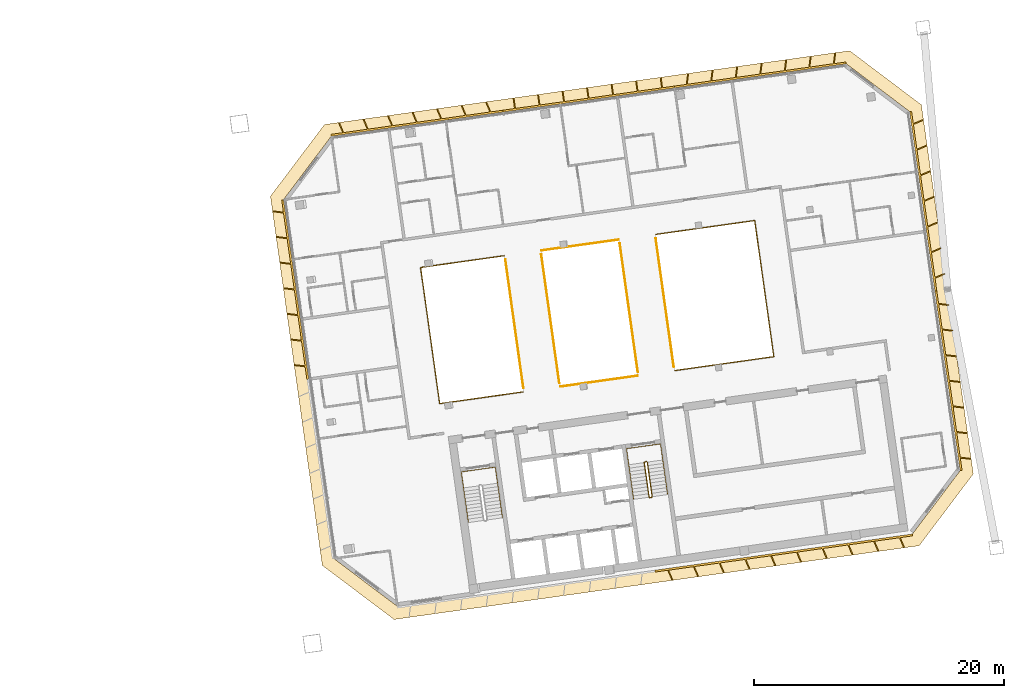
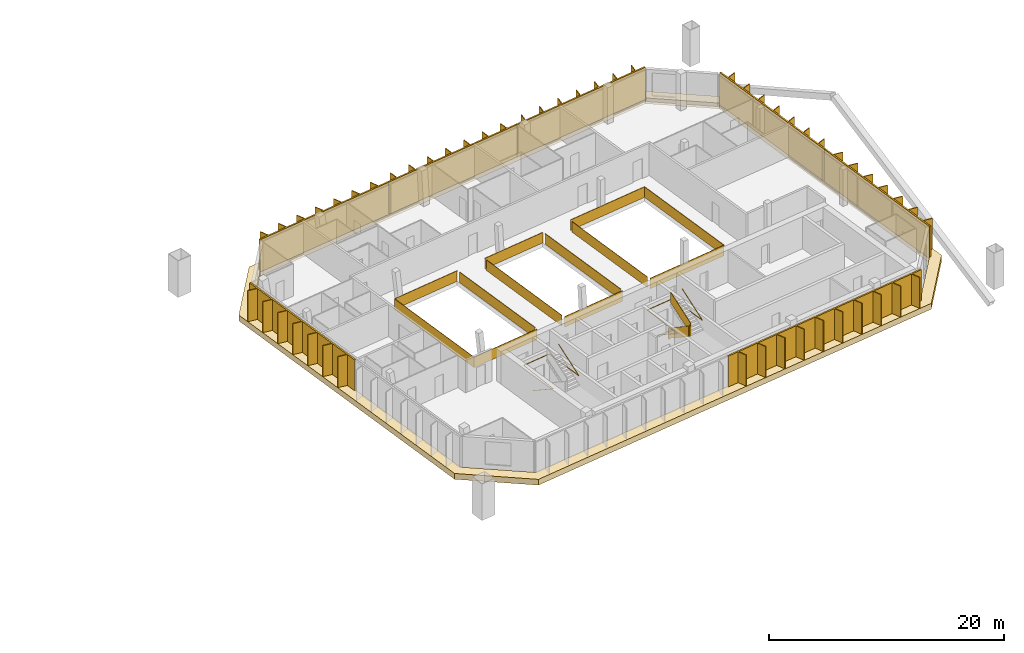
# One storey, part 23 of 23: 11 railings, 7 shading devices, 1 covering.
"""IFC4 building model written with IfcOpenShell, lengths in metres."""

from ifc_helpers import new_model, si_unit, direction, frame, origin, origin_2d, place, context, subcontext, project, spatial, polyline, rectangle, outline, extrude, material, layer, layer_set, type_object, element, save


model = new_model("IFC4")

# Units and contexts
model_context = context("Model", 3, precision=1e-05, world=origin(), true_north=direction((0.0, 1.0)))
body_context = subcontext(model_context, "Body", "Model", "MODEL_VIEW")
ifc_project = project(units=[si_unit("LENGTHUNIT", "METRE"), si_unit("AREAUNIT", "SQUARE_METRE"), si_unit("VOLUMEUNIT", "CUBIC_METRE"), si_unit("PLANEANGLEUNIT", "RADIAN"), si_unit("MASSUNIT", "GRAM", prefix="KILO")], contexts=[model_context])

# Site, building, storey
site_placement = place(None, origin())
site = spatial("IfcSite", under=ifc_project, at=site_placement, CompositionType="ELEMENT")
building_placement = place(site_placement, origin())
building = spatial("IfcBuilding", under=site, at=building_placement, Name="Mirante Cascada Hotel Towers", CompositionType="ELEMENT")
storey_placement = place(building_placement, frame((0.0, 0.0, 220.4)))
storey = spatial("IfcBuildingStorey", under=building, at=storey_placement, Name="L52", CompositionType="ELEMENT", Elevation=220.4)

# Railings
ifc_material_1 = material(Name="Toughened glass with stainless steel handrail", Category="steel")
railing_type_1 = type_object("IfcRailingType", Name="Atrium guard 1100 glass balustrade", PredefinedType="GUARDRAIL", material=ifc_material_1)
railing_1_placement = place(storey_placement, frame((40.095, 7.0934, 0.0)))
element("IfcRailing", 1, at=railing_1_placement, inside=storey, type_object=railing_type_1, Name="GUARD 2-L52-1", PredefinedType="GUARDRAIL", context=body_context, shape_type="SweptSolid", body=[
    extrude(rectangle(XDim=0.048, YDim=0.048, at=origin_2d()), frame((0.0, 0.0, 1.076), z_axis=(-0.9902687, -0.1391685, 0.0), x_axis=(0.1391685, -0.9902687, 0.0)), (0.0, 0.0, 1.0), 6.7623),
    extrude(rectangle(XDim=0.02, YDim=1.052, at=origin_2d()), frame((0.0, 0.0, 0.526), z_axis=(-0.9902687, -0.1391685, 0.0), x_axis=(0.1391685, -0.9902687, 0.0)), (0.0, 0.0, 1.0), 6.7623),
    extrude(rectangle(XDim=0.048, YDim=0.048, at=origin_2d()), frame((-6.6965, -0.9411, 1.076), z_axis=(0.1391733, -0.990268, 0.0), x_axis=(0.990268, 0.1391733, 0.0)), (0.0, 0.0, 1.0), 11.0),
    extrude(rectangle(XDim=0.02, YDim=1.052, at=origin_2d()), frame((-6.6965, -0.9411, 0.526), z_axis=(0.1391733, -0.990268, 0.0), x_axis=(0.990268, 0.1391733, 0.0)), (0.0, 0.0, 1.0), 11.0),
    extrude(rectangle(XDim=0.048, YDim=0.048, at=origin_2d()), frame((-5.1656, -11.834, 1.076), z_axis=(0.9902687, 0.1391685, 0.0), x_axis=(-0.1391685, 0.9902687, 0.0)), (0.0, 0.0, 1.0), 6.7623),
    extrude(rectangle(XDim=0.02, YDim=1.052, at=origin_2d()), frame((-5.1656, -11.834, 0.526), z_axis=(0.9902687, 0.1391685, 0.0), x_axis=(-0.1391685, 0.9902687, 0.0)), (0.0, 0.0, 1.0), 6.7623),
])
railing_2_placement = place(storey_placement, frame((44.5967, -3.382, 0.0)))
element("IfcRailing", 2, at=railing_2_placement, inside=storey, type_object=railing_type_1, Name="GUARD 2-L52-2", PredefinedType="GUARDRAIL", context=body_context, shape_type="SweptSolid", body=[
    extrude(rectangle(XDim=0.048, YDim=0.048, at=origin_2d()), frame((0.0, 0.0, 1.076), z_axis=(0.9902672, 0.1391795, 0.0), x_axis=(-0.1391795, 0.9902672, 0.0)), (0.0, 0.0, 1.0), 6.2459),
    extrude(rectangle(XDim=0.02, YDim=1.052, at=origin_2d()), frame((0.0, 0.0, 0.526), z_axis=(0.9902672, 0.1391795, 0.0), x_axis=(-0.1391795, 0.9902672, 0.0)), (0.0, 0.0, 1.0), 6.2459),
])
railing_3_placement = place(storey_placement, frame((49.2509, 8.3802, 0.0)))
element("IfcRailing", 3, at=railing_3_placement, inside=storey, type_object=railing_type_1, Name="GUARD 2-L52-3", PredefinedType="GUARDRAIL", context=body_context, shape_type="SweptSolid", body=[
    extrude(rectangle(XDim=0.048, YDim=0.048, at=origin_2d()), frame((0.0, 0.0, 1.076), z_axis=(-0.9902694, -0.1391638, 0.0), x_axis=(0.1391638, -0.9902694, 0.0)), (0.0, 0.0, 1.0), 6.2459),
    extrude(rectangle(XDim=0.02, YDim=1.052, at=origin_2d()), frame((0.0, 0.0, 0.526), z_axis=(-0.9902694, -0.1391638, 0.0), x_axis=(0.1391638, -0.9902694, 0.0)), (0.0, 0.0, 1.0), 6.2459),
])
railing_4_placement = place(storey_placement, frame((53.7526, -2.0952, 0.0)))
element("IfcRailing", 4, at=railing_4_placement, inside=storey, type_object=railing_type_1, Name="GUARD 2-L52-4", PredefinedType="GUARDRAIL", context=body_context, shape_type="SweptSolid", body=[
    extrude(rectangle(XDim=0.048, YDim=0.048, at=origin_2d()), frame((0.0, 0.0, 1.076), z_axis=(0.9902688, 0.1391682, 0.0), x_axis=(-0.1391682, 0.9902688, 0.0)), (0.0, 0.0, 1.0), 7.9918),
    extrude(rectangle(XDim=0.02, YDim=1.052, at=origin_2d()), frame((0.0, 0.0, 0.526), z_axis=(0.9902688, 0.1391682, 0.0), x_axis=(-0.1391682, 0.9902688, 0.0)), (0.0, 0.0, 1.0), 7.9918),
    extrude(rectangle(XDim=0.048, YDim=0.048, at=origin_2d()), frame((7.914, 1.1122, 1.076), z_axis=(-0.1391721, 0.9902682, 0.0), x_axis=(-0.9902682, -0.1391721, 0.0)), (0.0, 0.0, 1.0), 11.0001),
    extrude(rectangle(XDim=0.02, YDim=1.052, at=origin_2d()), frame((7.914, 1.1122, 0.526), z_axis=(-0.1391721, 0.9902682, 0.0), x_axis=(-0.9902682, -0.1391721, 0.0)), (0.0, 0.0, 1.0), 11.0001),
    extrude(rectangle(XDim=0.048, YDim=0.048, at=origin_2d()), frame((6.3831, 12.0052, 1.076), z_axis=(-0.990267, -0.1391804, 0.0), x_axis=(0.1391804, -0.990267, 0.0)), (0.0, 0.0, 1.0), 7.9918),
    extrude(rectangle(XDim=0.02, YDim=1.052, at=origin_2d()), frame((6.3831, 12.0052, 0.526), z_axis=(-0.990267, -0.1391804, 0.0), x_axis=(0.1391804, -0.990267, 0.0)), (0.0, 0.0, 1.0), 7.9918),
])
railing_5_placement = place(storey_placement, frame((41.6333, -3.4999, 0.0)))
element("IfcRailing", 5, at=railing_5_placement, inside=storey, type_object=railing_type_1, Name="GUARD 2-L52-5", PredefinedType="GUARDRAIL", context=body_context, shape_type="SweptSolid", body=[
    extrude(rectangle(XDim=0.048, YDim=0.048, at=origin_2d()), frame((0.0, 0.0, 1.076), z_axis=(-0.1391721, 0.9902682, 0.0), x_axis=(-0.9902682, -0.1391721, 0.0)), (0.0, 0.0, 1.0), 10.4087),
    extrude(rectangle(XDim=0.02, YDim=1.052, at=origin_2d()), frame((0.0, 0.0, 0.526), z_axis=(-0.1391721, 0.9902682, 0.0), x_axis=(-0.9902682, -0.1391721, 0.0)), (0.0, 0.0, 1.0), 10.4087),
])
railing_6_placement = place(storey_placement, frame((43.0584, 7.2114, 0.0)))
element("IfcRailing", 6, at=railing_6_placement, inside=storey, type_object=railing_type_1, Name="GUARD 2-L52-6", PredefinedType="GUARDRAIL", context=body_context, shape_type="SweptSolid", body=[
    extrude(rectangle(XDim=0.048, YDim=0.048, at=origin_2d()), frame((0.0, 0.0, 1.076), z_axis=(0.1391721, -0.9902682, 0.0), x_axis=(0.9902682, 0.1391721, 0.0)), (0.0, 0.0, 1.0), 10.4087),
    extrude(rectangle(XDim=0.02, YDim=1.052, at=origin_2d()), frame((0.0, 0.0, 0.526), z_axis=(0.1391721, -0.9902682, 0.0), x_axis=(0.9902682, 0.1391721, 0.0)), (0.0, 0.0, 1.0), 10.4087),
])
railing_7_placement = place(storey_placement, frame((50.7892, -2.2131, 0.0)))
element("IfcRailing", 7, at=railing_7_placement, inside=storey, type_object=railing_type_1, Name="GUARD 2-L52-7", PredefinedType="GUARDRAIL", context=body_context, shape_type="SweptSolid", body=[
    extrude(rectangle(XDim=0.048, YDim=0.048, at=origin_2d()), frame((0.0, 0.0, 1.076), z_axis=(-0.1391721, 0.9902682, 0.0), x_axis=(-0.9902682, -0.1391721, 0.0)), (0.0, 0.0, 1.0), 10.4087),
    extrude(rectangle(XDim=0.02, YDim=1.052, at=origin_2d()), frame((0.0, 0.0, 0.526), z_axis=(-0.1391721, 0.9902682, 0.0), x_axis=(-0.9902682, -0.1391721, 0.0)), (0.0, 0.0, 1.0), 10.4087),
])
railing_8_placement = place(storey_placement, frame((52.2143, 8.4982, 0.0)))
element("IfcRailing", 8, at=railing_8_placement, inside=storey, type_object=railing_type_1, Name="GUARD 2-L52-8", PredefinedType="GUARDRAIL", context=body_context, shape_type="SweptSolid", body=[
    extrude(rectangle(XDim=0.048, YDim=0.048, at=origin_2d()), frame((0.0, 0.0, 1.076), z_axis=(0.1391708, -0.9902684, 0.0), x_axis=(0.9902684, 0.1391708, 0.0)), (0.0, 0.0, 1.0), 10.4088),
    extrude(rectangle(XDim=0.02, YDim=1.052, at=origin_2d()), frame((0.0, 0.0, 0.526), z_axis=(0.1391708, -0.9902684, 0.0), x_axis=(0.9902684, 0.1391708, 0.0)), (0.0, 0.0, 1.0), 10.4088),
])

# Covering
ifc_material_2 = material(Name="Precast concrete C40/50 white", Category="concrete")
ifc_layer = layer(ifc_material_2, 0.6)
ifc_layer_set = layer_set([ifc_layer], Name="Precast concrete SUNSHADE band 1000x600")
covering_type = type_object("IfcCoveringType", Name="Precast concrete SUNSHADE band 1000x600", PredefinedType="CLADDING", material=ifc_layer_set)
covering_placement = place(storey_placement, frame((0.0, 0.0, -0.45)))
element("IfcCovering", 9, at=covering_placement, inside=storey, type_object=covering_type, Name="Precast concrete SUNSHADE band T2 L52", PredefinedType="CLADDING", context=body_context, shape_type="SweptSolid", body=[
    extrude(outline(polyline([(21.3821, 11.8496), (25.7106, 17.5937), (67.7326, 23.4995), (73.4767, 19.171), (77.628, -10.3671), (73.2995, -16.1112), (31.2775, -22.017), (25.5334, -17.6885), (21.3821, 11.8496)]), holes=[polyline([(76.5801, -10.0961), (72.5441, 18.6217), (67.4616, 22.4516), (26.26, 16.6611), (22.43, 11.5786), (26.466, -17.1392), (31.5485, -20.9691), (72.7501, -15.1786), (76.5801, -10.0961)])]), origin(), (0.0, 0.0, 1.0), 0.6),
])

# Railings
ifc_material_3 = material(Name="Painted steel", Category="steel")
railing_type_2 = type_object("IfcRailingType", Name="Stair guard 1100 steel balustrade", PredefinedType="GUARDRAIL", material=ifc_material_3)
railing_9_placement = place(storey_placement, frame((51.4864, -9.3815, 0.0)))
element("IfcRailing", 10, at=railing_9_placement, inside=storey, type_object=railing_type_2, Name="L52 ST2-B stair guard 1", PredefinedType="GUARDRAIL", context=body_context, shape_type="SweptSolid", body=[
    extrude(rectangle(XDim=0.048, YDim=0.048, at=origin_2d()), frame((0.0, 0.0, 1.076), z_axis=(-0.9902408, -0.1393672, 0.0), x_axis=(0.1393672, -0.9902408, 0.0)), (0.0, 0.0, 1.0), 0.15),
    extrude(rectangle(XDim=0.02, YDim=1.052, at=origin_2d()), frame((0.0, 0.0, 0.526), z_axis=(-0.9902408, -0.1393672, 0.0), x_axis=(0.1393672, -0.9902408, 0.0)), (0.0, 0.0, 1.0), 0.15),
    extrude(rectangle(XDim=0.048, YDim=0.048, at=origin_2d()), frame((-0.1485, -0.0209, 1.076), z_axis=(-0.6020331, -0.7984711, 0.0), x_axis=(0.7984711, -0.6020331, 0.0)), (0.0, 0.9253398, 0.3791387), 0.1866),
    extrude(rectangle(XDim=0.02, YDim=1.052, at=origin_2d()), frame((-0.1485, -0.0209, 0.526), z_axis=(-0.6020331, -0.7984711, 0.0), x_axis=(0.7984711, -0.6020331, 0.0)), (0.0, 0.9253398, 0.3791387), 0.1866),
    extrude(rectangle(XDim=0.048, YDim=0.048, at=origin_2d()), frame((-0.1911, -0.0774, 1.2487), z_axis=(0.139181, -0.990267, 0.0), x_axis=(0.990267, 0.139181, 0.0)), (0.0, 0.5250347, 0.8510808), 3.2899),
    extrude(rectangle(XDim=0.02, YDim=1.052, at=origin_2d()), frame((-0.1911, -0.0774, 0.6987), z_axis=(0.139181, -0.990267, 0.0), x_axis=(0.990267, 0.139181, 0.0)), (0.0, 0.5250347, 0.8510808), 3.2899),
    extrude(rectangle(XDim=0.048, YDim=0.048, at=origin_2d()), frame((0.1986, -2.8501, 2.976), z_axis=(0.9944441, -0.1052656, 0.0), x_axis=(0.1052656, 0.9944441, 0.0)), (0.0, 0.0, 1.0), 0.2061),
    extrude(rectangle(XDim=0.02, YDim=1.052, at=origin_2d()), frame((0.1986, -2.8501, 2.426), z_axis=(0.9944441, -0.1052656, 0.0), x_axis=(0.1052656, 0.9944441, 0.0)), (0.0, 0.0, 1.0), 0.2061),
    extrude(rectangle(XDim=0.048, YDim=0.048, at=origin_2d()), frame((0.4036, -2.8718, 2.976), z_axis=(-0.9902408, -0.1393672, 0.0), x_axis=(0.1393672, -0.9902408, 0.0)), (0.0, 0.0, 1.0), 0.15),
    extrude(rectangle(XDim=0.02, YDim=1.052, at=origin_2d()), frame((0.4036, -2.8718, 2.426), z_axis=(-0.9902408, -0.1393672, 0.0), x_axis=(0.1393672, -0.9902408, 0.0)), (0.0, 0.0, 1.0), 0.15),
    extrude(rectangle(XDim=0.048, YDim=0.048, at=origin_2d()), frame((0.2551, -2.8927, 2.976), z_axis=(0.9268624, 0.3754011, 0.0), x_axis=(-0.3754011, 0.9268624, 0.0)), (0.0, 0.6421217, 0.7666028), 0.269),
    extrude(rectangle(XDim=0.02, YDim=1.052, at=origin_2d()), frame((0.2551, -2.8927, 2.426), z_axis=(0.9268624, 0.3754011, 0.0), x_axis=(-0.3754011, 0.9268624, 0.0)), (0.0, 0.6421217, 0.7666028), 0.269),
    extrude(rectangle(XDim=0.048, YDim=0.048, at=origin_2d()), frame((0.4462, -2.8153, 3.1487), z_axis=(-0.139181, 0.990267, 0.0), x_axis=(-0.990267, -0.139181, 0.0)), (0.0, 0.5250347, 0.8510808), 3.2899),
    extrude(rectangle(XDim=0.02, YDim=1.052, at=origin_2d()), frame((0.4462, -2.8153, 2.5987), z_axis=(-0.139181, 0.990267, 0.0), x_axis=(-0.990267, -0.139181, 0.0)), (0.0, 0.5250347, 0.8510808), 3.2899),
])
ifc_material_4 = material(Name="Painted steel", Category="steel")
railing_type_3 = type_object("IfcRailingType", Name="Stair handrail 900 steel tube", PredefinedType="HANDRAIL", material=ifc_material_4)
railing_10_placement = place(storey_placement, frame((36.8374, -11.4908, 0.1727)))
element("IfcRailing", 11, at=railing_10_placement, inside=storey, type_object=railing_type_3, Name="L52 ST2-A stair handrail 1", PredefinedType="HANDRAIL", context=body_context, shape_type="SweptSolid", body=[
    extrude(rectangle(XDim=0.048, YDim=0.048, at=origin_2d()), frame((0.0, 0.0, 0.876), z_axis=(0.139181, -0.990267, 0.0), x_axis=(0.990267, 0.139181, 0.0)), (0.0, 0.5250347, 0.8510808), 3.2899),
    extrude(rectangle(XDim=0.048, YDim=0.048, at=origin_2d()), frame((0.3897, -2.7727, 2.6033), z_axis=(-0.1391707, 0.9902684, 0.0), x_axis=(-0.9902684, -0.1391707, 0.0)), (0.0, 0.0420846, 0.999114), 4.1036),
    extrude(rectangle(XDim=0.048, YDim=0.048, at=origin_2d()), frame((-0.1809, 1.2874, 2.776), z_axis=(0.9902691, 0.1391657, 0.0), x_axis=(-0.1391657, 0.9902691, 0.0)), (0.0, 0.0, 1.0), 2.75),
    extrude(rectangle(XDim=0.048, YDim=0.048, at=origin_2d()), frame((2.5423, 1.6701, 2.776), z_axis=(0.1391707, -0.9902684, 0.0), x_axis=(0.9902684, 0.1391707, 0.0)), (0.0, 0.0, 1.0), 4.1),
    extrude(rectangle(XDim=0.048, YDim=0.048, at=origin_2d()), frame((3.1129, -2.39, 2.776), z_axis=(-0.139181, 0.990267, 0.0), x_axis=(-0.990267, -0.139181, 0.0)), (0.0, 0.5250347, 0.8510808), 3.2899),
])
railing_11_placement = place(storey_placement, frame((50.0575, -9.6328, 0.1727)))
element("IfcRailing", 12, at=railing_11_placement, inside=storey, type_object=railing_type_3, Name="L52 ST2-B stair handrail 1", PredefinedType="HANDRAIL", context=body_context, shape_type="SweptSolid", body=[
    extrude(rectangle(XDim=0.048, YDim=0.048, at=origin_2d()), frame((0.0, 0.0, 0.876), z_axis=(0.139176, -0.9902677, 0.0), x_axis=(0.9902677, 0.139176, 0.0)), (0.0, 0.5250212, 0.8510891), 3.29),
    extrude(rectangle(XDim=0.048, YDim=0.048, at=origin_2d()), frame((0.3897, -2.7728, 2.6033), z_axis=(-0.1391707, 0.9902684, 0.0), x_axis=(-0.9902684, -0.1391707, 0.0)), (0.0, 0.0420846, 0.999114), 4.1036),
    extrude(rectangle(XDim=0.048, YDim=0.048, at=origin_2d()), frame((-0.1809, 1.2873, 2.776), z_axis=(0.9902641, 0.1392013, 0.0), x_axis=(-0.1392013, 0.9902641, 0.0)), (0.0, 0.0, 1.0), 2.75),
    extrude(rectangle(XDim=0.048, YDim=0.048, at=origin_2d()), frame((2.5423, 1.6701, 2.776), z_axis=(0.1391707, -0.9902684, 0.0), x_axis=(0.9902684, 0.1391707, 0.0)), (0.0, 0.0, 1.0), 4.1),
    extrude(rectangle(XDim=0.048, YDim=0.048, at=origin_2d()), frame((3.1129, -2.39, 2.776), z_axis=(-0.139181, 0.990267, 0.0), x_axis=(-0.990267, -0.139181, 0.0)), (0.0, 0.5250347, 0.8510808), 3.2899),
])

# Shading devices
ifc_material_5 = material(Name="White precast concrete C50/60 fin", Category="concrete")
shading_device_type = type_object("IfcShadingDeviceType", Name="Vertical fin set 4500x900", PredefinedType="USERDEFINED", material=ifc_material_5)
shading_device_1_placement = place(storey_placement, origin())
element("IfcShadingDevice", 13, at=shading_device_1_placement, inside=storey, type_object=shading_device_type, Name="FIN T2 L52 front 1", ObjectType="FIN", PredefinedType="USERDEFINED", context=body_context, shape_type="SweptSolid", body=[
    extrude(outline(polyline([(54.8442, 21.6467), (54.7421, 20.8155), (56.6221, 21.0797), (56.7267, 21.9322), (56.8061, 21.9225), (56.7041, 21.0912), (58.584, 21.3554), (58.6887, 22.208), (58.7681, 22.1982), (58.666, 21.3669), (60.546, 21.6312), (60.6507, 22.4837), (60.7301, 22.474), (60.628, 21.6427), (62.508, 21.9069), (62.6127, 22.7595), (62.6921, 22.7497), (62.59, 21.9184), (64.47, 22.1826), (64.5747, 23.0352), (64.6541, 23.0254), (64.552, 22.1942), (66.432, 22.4584), (66.5366, 23.3109), (66.616, 23.3012), (66.514, 22.4699), (67.4407, 22.6001), (67.4616, 22.4516), (53.7277, 20.5214), (53.7068, 20.67), (54.6601, 20.8039), (54.7647, 21.6565), (54.8442, 21.6467)])), origin(), (0.0, 0.0, 1.0), 3.35),
])
shading_device_2_placement = place(storey_placement, origin())
element("IfcShadingDevice", 14, at=shading_device_2_placement, inside=storey, type_object=shading_device_type, Name="FIN T2 L52 front 2", ObjectType="FIN", PredefinedType="USERDEFINED", context=body_context, shape_type="SweptSolid", body=[
    extrude(outline(polyline([(40.8753, 19.725), (40.9935, 18.8832), (42.8763, 19.1478), (42.758, 19.9896), (42.8372, 20.0007), (42.9555, 19.159), (44.8383, 19.4236), (44.72, 20.2653), (44.7992, 20.2764), (44.9175, 19.4347), (46.8003, 19.6993), (46.682, 20.5411), (46.7612, 20.5522), (46.8795, 19.7105), (48.7623, 19.9751), (48.644, 20.8168), (48.7232, 20.8279), (48.8415, 19.9862), (50.7242, 20.2508), (50.6059, 21.0925), (50.6852, 21.1037), (50.8035, 20.2619), (52.6862, 20.5265), (52.5679, 21.3683), (52.6471, 21.3794), (52.7654, 20.5377), (53.7068, 20.67), (53.7277, 20.5214), (39.9938, 18.5913), (39.9729, 18.7398), (40.9143, 18.8721), (40.796, 19.7138), (40.8753, 19.725)])), origin(), (0.0, 0.0, 1.0), 3.35),
])
shading_device_3_placement = place(storey_placement, origin())
element("IfcShadingDevice", 15, at=shading_device_3_placement, inside=storey, type_object=shading_device_type, Name="FIN T2 L52 front 3", ObjectType="FIN", PredefinedType="USERDEFINED", context=body_context, shape_type="SweptSolid", body=[
    extrude(outline(polyline([(26.9122, 17.7421), (27.2478, 16.9514), (29.1278, 17.2156), (28.8005, 17.9866), (28.8742, 18.0178), (29.2098, 17.2271), (31.0898, 17.4914), (30.7625, 18.2623), (30.8362, 18.2936), (31.1718, 17.5029), (33.0517, 17.7671), (32.7245, 18.538), (32.7981, 18.5693), (33.1338, 17.7786), (35.0137, 18.0428), (34.6865, 18.8138), (34.7601, 18.845), (35.0957, 18.0544), (36.9757, 18.3186), (36.6485, 19.0895), (36.7221, 19.1208), (37.0577, 18.3301), (38.9377, 18.5943), (38.6104, 19.3652), (38.6841, 19.3965), (39.0197, 18.6058), (39.9729, 18.7398), (39.9938, 18.5913), (26.26, 16.6611), (26.2391, 16.8096), (27.1658, 16.9399), (26.8385, 17.7108), (26.9122, 17.7421)])), origin(), (0.0, 0.0, 1.0), 3.35),
])
shading_device_4_placement = place(storey_placement, origin())
element("IfcShadingDevice", 16, at=shading_device_4_placement, inside=storey, type_object=shading_device_type, Name="FIN T2 L52 inner 1", ObjectType="FIN", PredefinedType="USERDEFINED", context=body_context, shape_type="SweptSolid", body=[
    extrude(outline(polyline([(23.3164, -1.6192), (24.1477, -1.7212), (23.871, 0.248), (23.0184, 0.3527), (23.0282, 0.4321), (23.8594, 0.33), (23.5827, 2.2993), (22.7301, 2.404), (22.7399, 2.4834), (23.5711, 2.3813), (23.2944, 4.3505), (22.4418, 4.4552), (22.4516, 4.5346), (23.2829, 4.4326), (23.0061, 6.4018), (22.1535, 6.5065), (22.1633, 6.5859), (22.9946, 6.4838), (22.7178, 8.4531), (21.8653, 8.5578), (21.875, 8.6372), (22.7063, 8.5351), (22.4295, 10.5044), (21.577, 10.609), (21.5867, 10.6884), (22.418, 10.5864), (22.2815, 11.5577), (22.43, 11.5786), (24.448, -2.7803), (24.2995, -2.8012), (24.1592, -1.8033), (23.3067, -1.6986), (23.3164, -1.6192)])), origin(), (0.0, 0.0, 1.0), 3.35),
])
shading_device_5_placement = place(storey_placement, origin())
element("IfcShadingDevice", 17, at=shading_device_5_placement, inside=storey, type_object=shading_device_type, Name="FIN T2 L52 outer 1", ObjectType="FIN", PredefinedType="USERDEFINED", context=body_context, shape_type="SweptSolid", body=[
    extrude(outline(polyline([(77.4234, -9.2059), (76.5921, -9.1039), (76.7286, -10.0752), (76.5801, -10.0961), (74.5621, 4.2628), (74.7106, 4.2837), (74.8508, 3.2858), (75.7034, 3.1811), (75.6937, 3.1017), (74.8624, 3.2038), (75.1391, 1.2345), (75.9917, 1.1298), (75.9819, 1.0504), (75.1507, 1.1525), (75.4274, -0.8168), (76.28, -0.9214), (76.2702, -1.0009), (75.4389, -0.8988), (75.7157, -2.868), (76.5683, -2.9727), (76.5585, -3.0521), (75.7272, -2.9501), (76.004, -4.9193), (76.8565, -5.024), (76.8468, -5.1034), (76.0155, -5.0013), (76.2923, -6.9706), (77.1448, -7.0753), (77.1351, -7.1547), (76.3038, -7.0526), (76.5806, -9.0218), (77.4331, -9.1265), (77.4234, -9.2059)])), origin(), (0.0, 0.0, 1.0), 3.35),
])
shading_device_6_placement = place(storey_placement, origin())
element("IfcShadingDevice", 18, at=shading_device_6_placement, inside=storey, type_object=shading_device_type, Name="FIN T2 L52 outer 2", ObjectType="FIN", PredefinedType="USERDEFINED", context=body_context, shape_type="SweptSolid", body=[
    extrude(outline(polyline([(75.361, 5.6172), (74.5704, 5.2816), (74.7106, 4.2837), (74.5621, 4.2628), (72.5441, 18.6217), (72.6926, 18.6426), (72.8291, 17.6712), (73.6, 17.9984), (73.6313, 17.9248), (72.8406, 17.5892), (73.1174, 15.6199), (73.8883, 15.9472), (73.9196, 15.8735), (73.1289, 15.5379), (73.4057, 13.5687), (74.1766, 13.8959), (74.2079, 13.8223), (73.4172, 13.4866), (73.694, 11.5174), (74.4649, 11.8446), (74.4962, 11.771), (73.7055, 11.4354), (73.9823, 9.4661), (74.7532, 9.7934), (74.7845, 9.7197), (73.9938, 9.3841), (74.2705, 7.4148), (75.0415, 7.7421), (75.0727, 7.6684), (74.2821, 7.3328), (74.5588, 5.3636), (75.3298, 5.6908), (75.361, 5.6172)])), origin(), (0.0, 0.0, 1.0), 3.35),
])
shading_device_7_placement = place(storey_placement, origin())
element("IfcShadingDevice", 19, at=shading_device_7_placement, inside=storey, type_object=shading_device_type, Name="FIN T2 L52 rear 2", ObjectType="FIN", PredefinedType="USERDEFINED", context=body_context, shape_type="SweptSolid", body=[
    extrude(outline(polyline([(53.5081, -18.8722), (53.1725, -18.0815), (52.1702, -18.2224), (52.1493, -18.0738), (72.7501, -15.1786), (72.771, -15.3271), (71.7953, -15.4643), (72.1225, -16.2352), (72.0489, -16.2665), (71.7132, -15.4758), (69.7352, -15.7538), (70.0624, -16.5247), (69.9888, -16.556), (69.6532, -15.7653), (67.6751, -16.0433), (68.0023, -16.8142), (67.9287, -16.8455), (67.5931, -16.0548), (65.615, -16.3328), (65.9423, -17.1038), (65.8686, -17.135), (65.533, -16.3444), (63.5549, -16.6224), (63.8822, -17.3933), (63.8085, -17.4246), (63.4729, -16.6339), (61.4949, -16.9119), (61.8221, -17.6828), (61.7485, -17.7141), (61.4128, -16.9234), (59.4348, -17.2014), (59.762, -17.9724), (59.6884, -18.0036), (59.3528, -17.2129), (57.3747, -17.4909), (57.7019, -18.2619), (57.6283, -18.2931), (57.2927, -17.5025), (55.3146, -17.7805), (55.6419, -18.5514), (55.5682, -18.5827), (55.2326, -17.792), (53.2545, -18.07), (53.5818, -18.8409), (53.5081, -18.8722)])), origin(), (0.0, 0.0, 1.0), 3.35),
])

save(model, "model.ifc")
